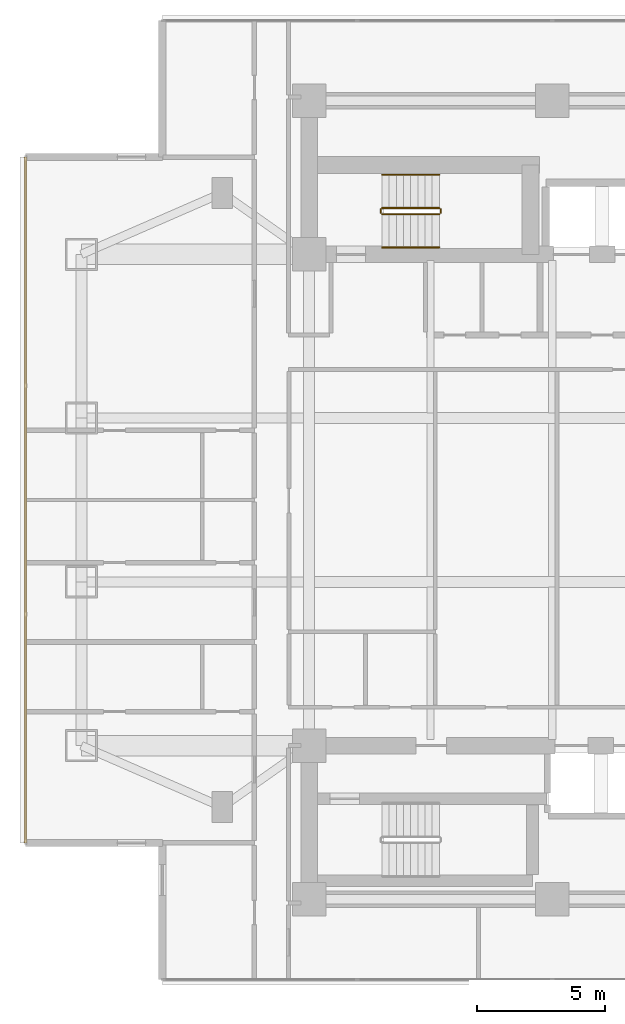
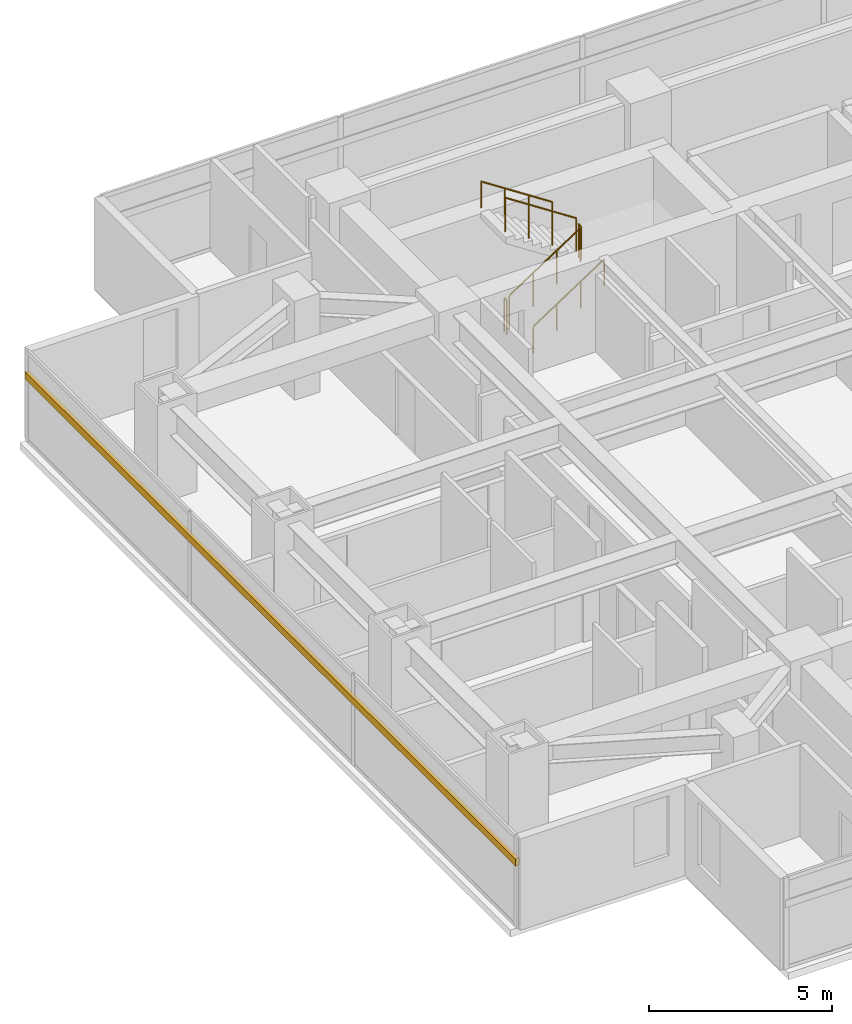
# One storey, part 23 of 27: 6 railings, 1 shading device.
"""IFC4 building model written with IfcOpenShell, lengths in metres."""

from ifc_helpers import new_model, si_unit, direction, frame, origin, origin_2d, place, context, subcontext, project, spatial, rectangle, circle, extrude, material, material_profile, profile_set, type_object, element, save


model = new_model("IFC4")

# Units and contexts
model_context = context("Model", 3, precision=1e-05, world=origin(), true_north=direction((0.0, 1.0)))
body_context = subcontext(model_context, "Body", "Model", "MODEL_VIEW")
ifc_project = project(units=[si_unit("LENGTHUNIT", "METRE"), si_unit("AREAUNIT", "SQUARE_METRE"), si_unit("VOLUMEUNIT", "CUBIC_METRE"), si_unit("PLANEANGLEUNIT", "RADIAN"), si_unit("MASSUNIT", "GRAM", prefix="KILO")], contexts=[model_context])

# Site, building, storey
site_placement = place(None, origin())
site = spatial("IfcSite", under=ifc_project, at=site_placement, CompositionType="ELEMENT")
building_placement = place(site_placement, origin())
building = spatial("IfcBuilding", under=site, at=building_placement, Name="Mirazonda Arch Towers", CompositionType="ELEMENT")
storey_placement = place(building_placement, frame((0.0, 0.0, 52.10009765625)))
storey = spatial("IfcBuildingStorey", under=building, at=storey_placement, Name="L14", CompositionType="ELEMENT", Elevation=52.10009765625)

# Shading device
ifc_material_1 = material(Name="Kiln-Fired Architectural Terracotta", Category="masonry")
ifc_material_profile = material_profile(ifc_material_1, rectangle(XDim=0.1201171875, YDim=0.239990234375, at=origin_2d()), Name="TERRA-BAG-120x240")
ifc_profile_set = profile_set([ifc_material_profile], Name="Kiln-Fired Architectural Terracotta")
shading_device_type = type_object("IfcShadingDeviceType", Name="BAGUETTE-1", PredefinedType="USERDEFINED", material=ifc_profile_set)
shading_device_placement = place(storey_placement, frame((-0.080078125, 41.39990234375, 2.188720703125), z_axis=(0.0, -1.0, 0.0), x_axis=(1.0, 0.0, 0.0)))
element("IfcShadingDevice", 1, at=shading_device_placement, inside=storey, type_object=shading_device_type, Name="L14 Glazed Terracotta Sun-Screen Baguette CW-L14-T1-W", ObjectType="BAGUETTE", PredefinedType="USERDEFINED", context=body_context, shape_type="SweptSolid", body=[
    extrude(rectangle(XDim=0.1201171875, YDim=0.239990234375, at=origin_2d()), origin(), (0.0, 0.0, 1.0), 26.7998046875),
])

# Railings
ifc_material_2 = material(Name="Architectural Brushed Steel S355", Category="steel")
railing_type_1 = type_object("IfcRailingType", Name="GUARD-STAIR-1120", PredefinedType="GUARDRAIL", material=ifc_material_2)
railing_1_placement = place(storey_placement, frame((13.85009765625, 39.169921875, 0.183349609375)))
element("IfcRailing", 2, at=railing_1_placement, inside=storey, type_object=railing_type_1, Name="L14 ST-T1N stair guard 1", PredefinedType="GUARDRAIL", context=body_context, shape_type="SweptSolid", body=[
    extrude(circle(Radius=0.02392578125, at=origin_2d()), frame((0.0, 0.0, 1.1259765625), z_axis=(0.836636935527, 0.0, 0.547757827979), x_axis=(0.0, 1.0, 0.0)), (0.0, 0.0, 1.0), 2.677490234375),
    extrude(circle(Radius=0.02099609375, at=origin_2d()), origin(), (0.0, 0.0, 1.0), 1.101806640625),
    extrude(circle(Radius=0.02099609375, at=origin_2d()), frame((0.74658203125, 0.0, 0.48876953125)), (0.0, 0.0, 1.0), 1.101806640625),
    extrude(circle(Radius=0.02099609375, at=origin_2d()), frame((1.493408203125, 0.0, 0.977783203125)), (0.0, 0.0, 1.0), 1.101806640625),
    extrude(circle(Radius=0.02099609375, at=origin_2d()), frame((2.239990234375, 0.0, 1.466552734375)), (0.0, 0.0, 1.0), 1.101806640625),
])
railing_2_placement = place(storey_placement, frame((16.139892578125, 39.219970703125, 1.64990234375)))
element("IfcRailing", 3, at=railing_2_placement, inside=storey, type_object=railing_type_1, Name="L14 ST-T1N stair guard 2", PredefinedType="GUARDRAIL", context=body_context, shape_type="SweptSolid", body=[
    extrude(circle(Radius=0.02392578125, at=origin_2d()), frame((0.0, 0.0, 1.1259765625), z_axis=(0.0, 1.0, 0.0), x_axis=(-1.0, 0.0, 0.0)), (0.0, 0.0, 1.0), 0.14013671875),
    extrude(circle(Radius=0.02099609375, at=origin_2d()), origin(), (0.0, 0.0, 1.0), 1.101806640625),
    extrude(circle(Radius=0.02099609375, at=origin_2d()), frame((0.0, 0.14013671875, 0.0)), (0.0, 0.0, 1.0), 1.101806640625),
])
railing_3_placement = place(storey_placement, frame((16.090087890625, 39.409912109375, 1.833251953125)))
element("IfcRailing", 4, at=railing_3_placement, inside=storey, type_object=railing_type_1, Name="L14 ST-T1N stair guard 3", PredefinedType="GUARDRAIL", context=body_context, shape_type="SweptSolid", body=[
    extrude(circle(Radius=0.02392578125, at=origin_2d()), frame((0.0, 0.0, 1.1259765625), z_axis=(-0.836636935527, 0.0, 0.547757827979), x_axis=(0.0, -1.0, 0.0)), (0.0, 0.0, 1.0), 2.677490234375),
    extrude(circle(Radius=0.02099609375, at=origin_2d()), origin(), (0.0, 0.0, 1.0), 1.101806640625),
    extrude(circle(Radius=0.02099609375, at=origin_2d()), frame((-0.74658203125, 0.0, 0.48876953125)), (0.0, 0.0, 1.0), 1.101806640625),
    extrude(circle(Radius=0.02099609375, at=origin_2d()), frame((-1.493408203125, 0.0, 0.977783203125)), (0.0, 0.0, 1.0), 1.101806640625),
    extrude(circle(Radius=0.02099609375, at=origin_2d()), frame((-2.239990234375, 0.0, 1.466552734375)), (0.0, 0.0, 1.0), 1.101806640625),
])
railing_4_placement = place(storey_placement, frame((13.800048828125, 39.219970703125, 0.0)))
element("IfcRailing", 5, at=railing_4_placement, inside=storey, type_object=railing_type_1, Name="L14 ST-T1N stair guard 4", PredefinedType="GUARDRAIL", context=body_context, shape_type="SweptSolid", body=[
    extrude(circle(Radius=0.02392578125, at=origin_2d()), frame((0.0, 0.0, 1.1259765625), z_axis=(0.0, 1.0, 0.0), x_axis=(-1.0, 0.0, 0.0)), (0.0, 0.0, 1.0), 0.14013671875),
    extrude(circle(Radius=0.02099609375, at=origin_2d()), origin(), (0.0, 0.0, 1.0), 1.101806640625),
    extrude(circle(Radius=0.02099609375, at=origin_2d()), frame((0.0, 0.14013671875, 0.0)), (0.0, 0.0, 1.0), 1.101806640625),
])
railing_type_2 = type_object("IfcRailingType", Name="HANDRAIL-915", PredefinedType="HANDRAIL", material=ifc_material_2)
railing_5_placement = place(storey_placement, frame((13.85009765625, 37.8701171875, 0.183349609375)))
element("IfcRailing", 6, at=railing_5_placement, inside=storey, type_object=railing_type_2, Name="L14 ST-T1N stair handrail 1", PredefinedType="HANDRAIL", context=body_context, shape_type="SweptSolid", body=[
    extrude(circle(Radius=0.02392578125, at=origin_2d()), frame((0.0, 0.0, 0.8759765625), z_axis=(0.836636935527, 0.0, 0.547757827979), x_axis=(0.0, 1.0, 0.0)), (0.0, 0.0, 1.0), 2.677490234375),
    extrude(circle(Radius=0.02099609375, at=origin_2d()), origin(), (0.0, 0.0, 1.0), 0.851806640625),
    extrude(circle(Radius=0.02099609375, at=origin_2d()), frame((0.74658203125, 0.0, 0.48876953125)), (0.0, 0.0, 1.0), 0.851806640625),
    extrude(circle(Radius=0.02099609375, at=origin_2d()), frame((1.493408203125, 0.0, 0.977783203125)), (0.0, 0.0, 1.0), 0.851806640625),
    extrude(circle(Radius=0.02099609375, at=origin_2d()), frame((2.239990234375, 0.0, 1.466552734375)), (0.0, 0.0, 1.0), 0.851806640625),
])
railing_6_placement = place(storey_placement, frame((16.090087890625, 40.7099609375, 1.833251953125)))
element("IfcRailing", 7, at=railing_6_placement, inside=storey, type_object=railing_type_2, Name="L14 ST-T1N stair handrail 2", PredefinedType="HANDRAIL", context=body_context, shape_type="SweptSolid", body=[
    extrude(circle(Radius=0.02392578125, at=origin_2d()), frame((0.0, 0.0, 0.8759765625), z_axis=(-0.836636935527, 0.0, 0.547757827979), x_axis=(0.0, -1.0, 0.0)), (0.0, 0.0, 1.0), 2.677490234375),
    extrude(circle(Radius=0.02099609375, at=origin_2d()), origin(), (0.0, 0.0, 1.0), 0.851806640625),
    extrude(circle(Radius=0.02099609375, at=origin_2d()), frame((-0.74658203125, 0.0, 0.48876953125)), (0.0, 0.0, 1.0), 0.851806640625),
    extrude(circle(Radius=0.02099609375, at=origin_2d()), frame((-1.493408203125, 0.0, 0.977783203125)), (0.0, 0.0, 1.0), 0.851806640625),
    extrude(circle(Radius=0.02099609375, at=origin_2d()), frame((-2.239990234375, 0.0, 1.466552734375)), (0.0, 0.0, 1.0), 0.851806640625),
])

save(model, "model.ifc")
